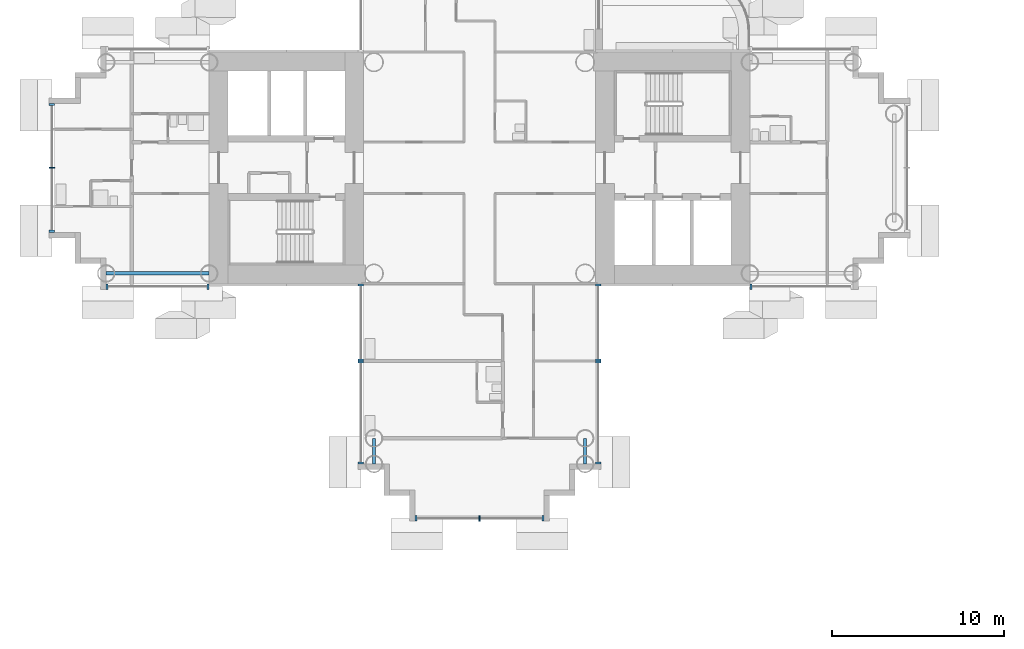
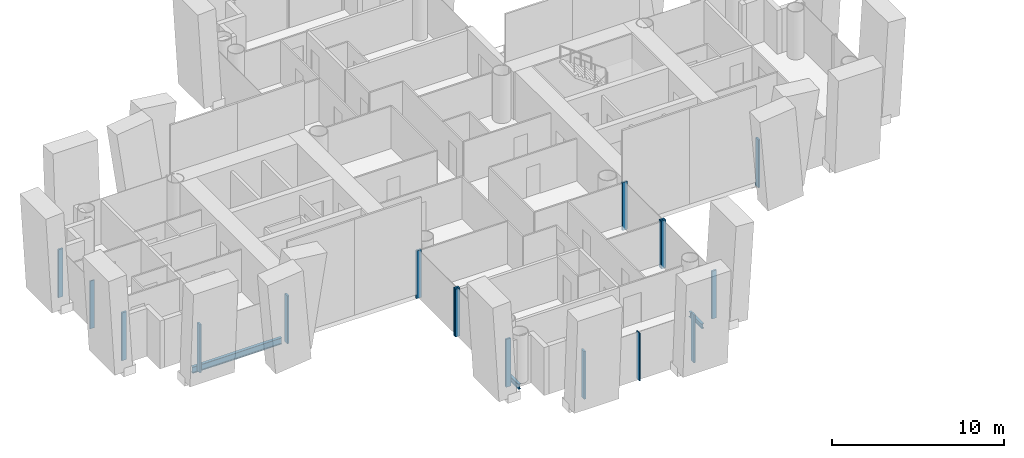
# One storey, part 3 of 23: 17 members, 3 beams, 8 elements without a shape of their own.
"""IFC4 building model written with IfcOpenShell, lengths in metres."""

from ifc_helpers import new_model, si_unit, direction, frame, origin, origin_2d, place, context, subcontext, project, spatial, rectangle, i_section, extrude, material, layer, layer_set, material_profile, profile_set, type_object, element, aggregate, save


model = new_model("IFC4")

# Units and contexts
model_context = context("Model", 3, precision=1e-05, world=origin(), true_north=direction((0.0, 1.0)))
body_context = subcontext(model_context, "Body", "Model", "MODEL_VIEW")
ifc_project = project(units=[si_unit("LENGTHUNIT", "METRE"), si_unit("AREAUNIT", "SQUARE_METRE"), si_unit("VOLUMEUNIT", "CUBIC_METRE"), si_unit("PLANEANGLEUNIT", "RADIAN"), si_unit("MASSUNIT", "GRAM", prefix="KILO")], contexts=[model_context])

# Site, building, storey
site_placement = place(None, origin())
site = spatial("IfcSite", under=ifc_project, at=site_placement, CompositionType="ELEMENT")
building_placement = place(site_placement, origin())
building = spatial("IfcBuilding", under=site, at=building_placement, Name="Ipe Terrace Towers", CompositionType="ELEMENT")
storey_placement = place(building_placement, frame((0.0, 0.0, 51.699951171875)))
storey = spatial("IfcBuildingStorey", under=building, at=storey_placement, Name="L13", CompositionType="ELEMENT", Elevation=51.699951171875)

# Beams
ifc_material_1 = material(Name="Steel S355", Category="steel")
ifc_material_profile_1 = material_profile(ifc_material_1, i_section(OverallWidth=0.175048828125, OverallDepth=0.35009765625, WebThickness=0.007080078125, FlangeThickness=0.010986328125, at=origin_2d()), Name="H-350x175x7x11")
ifc_profile_set_1 = profile_set([ifc_material_profile_1], Name="Steel S355")
beam_type_1 = type_object("IfcBeamType", Name="H04 EDGE BEAM H-350x175x7x11", PredefinedType="BEAM", material=ifc_profile_set_1)
for number, where, z_axis, x_axis, name in (
    (1, (-42.14990234375, -15.75, -0.574951171875), (0.0, -1.0, 0.0), (1.0, 0.0, 0.0), "Edge beam T1-EB-D03-D05"),
    (2, (-29.85009765625, -15.75, -0.574951171875), (0.0, -1.0, 0.0), (1.0, 0.0, 0.0), "Edge beam T1-EB-D04-D06"),
):
    element("IfcBeam", number, at=place(storey_placement, frame(where, z_axis=z_axis, x_axis=x_axis)), inside=storey, type_object=beam_type_1, Name=name, PredefinedType="BEAM", context=body_context, shape_type="SweptSolid", body=[
        extrude(i_section(OverallWidth=0.175048828125, OverallDepth=0.35009765625, WebThickness=0.007080078125, FlangeThickness=0.010986328125, at=origin_2d()), origin(), (0.0, 0.0, 1.0), 1.5),
    ])
ifc_material_2 = material(Name="Steel S355", Category="steel")
ifc_material_profile_2 = material_profile(ifc_material_2, i_section(OverallWidth=0.199951171875, OverallDepth=0.449951171875, WebThickness=0.009033203125, FlangeThickness=0.013916015625, at=origin_2d()), Name="H-450x200x9x14")
ifc_profile_set_2 = profile_set([ifc_material_profile_2], Name="Steel S355")
beam_type_2 = type_object("IfcBeamType", Name="H08 EDGE BEAM H-450x200x9x14", PredefinedType="BEAM", material=ifc_profile_set_2)
beam_placement = place(storey_placement, frame((-51.75, -6.14990234375, -0.625), z_axis=(-1.0, 0.0, 0.0), x_axis=(0.0, -1.0, 0.0)))
element("IfcBeam", 3, at=beam_placement, inside=storey, type_object=beam_type_2, Name="Edge beam T1-EB-C01-C03", PredefinedType="BEAM", context=body_context, shape_type="SweptSolid", body=[
    extrude(i_section(OverallWidth=0.199951171875, OverallDepth=0.449951171875, WebThickness=0.009033203125, FlangeThickness=0.013916015625, at=origin_2d()), origin(), (0.0, 0.0, 1.0), 6.0),
])

# Curtain wall, members
ifc_material_3 = material(Name="Aluminium alloy 6063-T6", Category="aluminium")
ifc_layer = layer(ifc_material_3, 0.320068359375)
ifc_layer_set = layer_set([ifc_layer], Name="TOWER UNITISED CURTAIN WALL")
curtain_wall_type = type_object("IfcCurtainWallType", Name="TOWER UNITISED CURTAIN WALL", PredefinedType="NOTDEFINED", material=ifc_layer_set)
curtain_wall_1_placement = place(storey_placement, origin())
curtain_wall_1 = element("IfcCurtainWall", 4, at=curtain_wall_1_placement, inside=storey, type_object=curtain_wall_type, Name="T1-CW-L13-04a curtain wall", PredefinedType="NOTDEFINED")
ifc_material_4 = material(Name="Aluminium alloy 6063-T6", Category="aluminium")
ifc_material_profile_3 = material_profile(ifc_material_4, rectangle(XDim=0.320068359375, YDim=0.1201171875, at=origin_2d()), Name="TOWER UNITISED CORNER MULLION 320 x 120")
ifc_profile_set_3 = profile_set([ifc_material_profile_3], Name="Aluminium alloy 6063-T6")
member_type_1 = type_object("IfcMemberType", Name="TOWER UNITISED CORNER MULLION 320 x 120", PredefinedType="MULLION", material=ifc_profile_set_3)
member_1_placement = place(storey_placement, frame((-57.68994140625, -6.909912109375, -0.300048828125), z_axis=(0.0, 0.0, 1.0), x_axis=(0.0, -1.0, 0.0)))
member_1 = element("IfcMember", 5, at=member_1_placement, type_object=member_type_1, Name="T1-CW-L13-04a mullion 1", PredefinedType="MULLION", context=body_context, shape_type="SweptSolid", body=[
    extrude(rectangle(XDim=0.320068359375, YDim=0.1201171875, at=origin_2d()), origin(), (0.0, 0.0, 1.0), 3.400146484375),
])
member_2_placement = place(storey_placement, frame((-51.81103515625, -6.909912109375, -0.300048828125), z_axis=(0.0, 0.0, 1.0), x_axis=(0.0, -1.0, 0.0)))
member_2 = element("IfcMember", 6, at=member_2_placement, type_object=member_type_1, Name="T1-CW-L13-04a mullion 2", PredefinedType="MULLION", context=body_context, shape_type="SweptSolid", body=[
    extrude(rectangle(XDim=0.320068359375, YDim=0.1201171875, at=origin_2d()), origin(), (0.0, 0.0, 1.0), 3.400146484375),
])
aggregate(curtain_wall_1, [member_1, member_2])

curtain_wall_2_placement = place(storey_placement, origin())
curtain_wall_2 = element("IfcCurtainWall", 7, at=curtain_wall_2_placement, inside=storey, type_object=curtain_wall_type, Name="T1-CW-L13-06a curtain wall", PredefinedType="NOTDEFINED")
member_3_placement = place(storey_placement, frame((-42.909912109375, -6.81005859375, -0.300048828125), z_axis=(0.0, 0.0, 1.0), x_axis=(-1.0, 0.0, 0.0)))
member_3 = element("IfcMember", 8, at=member_3_placement, type_object=member_type_1, Name="T1-CW-L13-06a mullion 1", PredefinedType="MULLION", context=body_context, shape_type="SweptSolid", body=[
    extrude(rectangle(XDim=0.320068359375, YDim=0.1201171875, at=origin_2d()), origin(), (0.0, 0.0, 1.0), 3.400146484375),
])
member_4_placement = place(storey_placement, frame((-42.909912109375, -11.18994140625, -0.300048828125), z_axis=(0.0, 0.0, 1.0), x_axis=(-1.0, 0.0, 0.0)))
member_4 = element("IfcMember", 9, at=member_4_placement, type_object=member_type_1, Name="T1-CW-L13-06a mullion 2", PredefinedType="MULLION", context=body_context, shape_type="SweptSolid", body=[
    extrude(rectangle(XDim=0.320068359375, YDim=0.1201171875, at=origin_2d()), origin(), (0.0, 0.0, 1.0), 3.400146484375),
])
aggregate(curtain_wall_2, [member_3, member_4])

curtain_wall_3_placement = place(storey_placement, origin())
curtain_wall_3 = element("IfcCurtainWall", 10, at=curtain_wall_3_placement, inside=storey, type_object=curtain_wall_type, Name="T1-CW-L13-07a curtain wall", PredefinedType="NOTDEFINED")
member_5_placement = place(storey_placement, frame((-42.909912109375, -11.31005859375, -0.300048828125), z_axis=(0.0, 0.0, 1.0), x_axis=(-1.0, 0.0, 0.0)))
member_5 = element("IfcMember", 11, at=member_5_placement, type_object=member_type_1, Name="T1-CW-L13-07a mullion 1", PredefinedType="MULLION", context=body_context, shape_type="SweptSolid", body=[
    extrude(rectangle(XDim=0.320068359375, YDim=0.1201171875, at=origin_2d()), origin(), (0.0, 0.0, 1.0), 3.400146484375),
])
member_6_placement = place(storey_placement, frame((-42.909912109375, -17.18994140625, -0.300048828125), z_axis=(0.0, 0.0, 1.0), x_axis=(-1.0, 0.0, 0.0)))
member_6 = element("IfcMember", 12, at=member_6_placement, type_object=member_type_1, Name="T1-CW-L13-07a mullion 2", PredefinedType="MULLION", context=body_context, shape_type="SweptSolid", body=[
    extrude(rectangle(XDim=0.320068359375, YDim=0.1201171875, at=origin_2d()), origin(), (0.0, 0.0, 1.0), 3.400146484375),
])
aggregate(curtain_wall_3, [member_5, member_6])

curtain_wall_4_placement = place(storey_placement, origin())
curtain_wall_4 = element("IfcCurtainWall", 13, at=curtain_wall_4_placement, inside=storey, type_object=curtain_wall_type, Name="T1-CW-L13-12a curtain wall", PredefinedType="NOTDEFINED")
member_7_placement = place(storey_placement, frame((-39.68994140625, -20.409912109375, -0.300048828125), z_axis=(0.0, 0.0, 1.0), x_axis=(0.0, -1.0, 0.0)))
member_7 = element("IfcMember", 14, at=member_7_placement, type_object=member_type_1, Name="T1-CW-L13-12a mullion 1", PredefinedType="MULLION", context=body_context, shape_type="SweptSolid", body=[
    extrude(rectangle(XDim=0.320068359375, YDim=0.1201171875, at=origin_2d()), origin(), (0.0, 0.0, 1.0), 3.400146484375),
])
member_8_placement = place(storey_placement, frame((-32.31005859375, -20.409912109375, -0.300048828125), z_axis=(0.0, 0.0, 1.0), x_axis=(0.0, -1.0, 0.0)))
member_8 = element("IfcMember", 15, at=member_8_placement, type_object=member_type_1, Name="T1-CW-L13-12a mullion 3", PredefinedType="MULLION", context=body_context, shape_type="SweptSolid", body=[
    extrude(rectangle(XDim=0.320068359375, YDim=0.1201171875, at=origin_2d()), origin(), (0.0, 0.0, 1.0), 3.400146484375),
])

curtain_wall_5_placement = place(storey_placement, origin())
curtain_wall_5 = element("IfcCurtainWall", 16, at=curtain_wall_5_placement, inside=storey, type_object=curtain_wall_type, Name="T1-CW-L13-17a curtain wall", PredefinedType="NOTDEFINED")
member_9_placement = place(storey_placement, frame((-29.090087890625, -17.18994140625, -0.300048828125), z_axis=(0.0, 0.0, 1.0), x_axis=(1.0, 0.0, 0.0)))
member_9 = element("IfcMember", 17, at=member_9_placement, type_object=member_type_1, Name="T1-CW-L13-17a mullion 1", PredefinedType="MULLION", context=body_context, shape_type="SweptSolid", body=[
    extrude(rectangle(XDim=0.320068359375, YDim=0.1201171875, at=origin_2d()), origin(), (0.0, 0.0, 1.0), 3.400146484375),
])
member_10_placement = place(storey_placement, frame((-29.090087890625, -11.31005859375, -0.300048828125), z_axis=(0.0, 0.0, 1.0), x_axis=(1.0, 0.0, 0.0)))
member_10 = element("IfcMember", 18, at=member_10_placement, type_object=member_type_1, Name="T1-CW-L13-17a mullion 2", PredefinedType="MULLION", context=body_context, shape_type="SweptSolid", body=[
    extrude(rectangle(XDim=0.320068359375, YDim=0.1201171875, at=origin_2d()), origin(), (0.0, 0.0, 1.0), 3.400146484375),
])
aggregate(curtain_wall_5, [member_9, member_10])

curtain_wall_6_placement = place(storey_placement, origin())
curtain_wall_6 = element("IfcCurtainWall", 19, at=curtain_wall_6_placement, inside=storey, type_object=curtain_wall_type, Name="T1-CW-L13-18a curtain wall", PredefinedType="NOTDEFINED")
member_11_placement = place(storey_placement, frame((-29.090087890625, -11.18994140625, -0.300048828125), z_axis=(0.0, 0.0, 1.0), x_axis=(1.0, 0.0, 0.0)))
member_11 = element("IfcMember", 20, at=member_11_placement, type_object=member_type_1, Name="T1-CW-L13-18a mullion 1", PredefinedType="MULLION", context=body_context, shape_type="SweptSolid", body=[
    extrude(rectangle(XDim=0.320068359375, YDim=0.1201171875, at=origin_2d()), origin(), (0.0, 0.0, 1.0), 3.400146484375),
])
member_12_placement = place(storey_placement, frame((-29.090087890625, -6.81005859375, -0.300048828125), z_axis=(0.0, 0.0, 1.0), x_axis=(1.0, 0.0, 0.0)))
member_12 = element("IfcMember", 21, at=member_12_placement, type_object=member_type_1, Name="T1-CW-L13-18a mullion 2", PredefinedType="MULLION", context=body_context, shape_type="SweptSolid", body=[
    extrude(rectangle(XDim=0.320068359375, YDim=0.1201171875, at=origin_2d()), origin(), (0.0, 0.0, 1.0), 3.400146484375),
])
aggregate(curtain_wall_6, [member_11, member_12])

# Curtain wall, member
curtain_wall_7_placement = place(storey_placement, origin())
curtain_wall_7 = element("IfcCurtainWall", 22, at=curtain_wall_7_placement, inside=storey, type_object=curtain_wall_type, Name="T1-CW-L13-20b curtain wall", PredefinedType="NOTDEFINED")
member_13_placement = place(storey_placement, frame((-20.18896484375, -6.909912109375, -0.300048828125), z_axis=(0.0, 0.0, 1.0), x_axis=(0.0, -1.0, 0.0)))
member_13 = element("IfcMember", 23, at=member_13_placement, type_object=member_type_1, Name="T1-CW-L13-20b mullion 1", PredefinedType="MULLION", context=body_context, shape_type="SweptSolid", body=[
    extrude(rectangle(XDim=0.320068359375, YDim=0.1201171875, at=origin_2d()), origin(), (0.0, 0.0, 1.0), 3.400146484375),
])
aggregate(curtain_wall_7, [member_13])

# Curtain wall, members
curtain_wall_8_placement = place(storey_placement, origin())
curtain_wall_8 = element("IfcCurtainWall", 24, at=curtain_wall_8_placement, inside=storey, type_object=curtain_wall_type, Name="T1-CW-L13-51a curtain wall", PredefinedType="NOTDEFINED")
member_14_placement = place(storey_placement, frame((-60.909912109375, 3.68994140625, -0.300048828125), z_axis=(0.0, 0.0, 1.0), x_axis=(-1.0, 0.0, 0.0)))
member_14 = element("IfcMember", 25, at=member_14_placement, type_object=member_type_1, Name="T1-CW-L13-51a mullion 1", PredefinedType="MULLION", context=body_context, shape_type="SweptSolid", body=[
    extrude(rectangle(XDim=0.320068359375, YDim=0.1201171875, at=origin_2d()), origin(), (0.0, 0.0, 1.0), 3.400146484375),
])
member_15_placement = place(storey_placement, frame((-60.909912109375, -3.68994140625, -0.300048828125), z_axis=(0.0, 0.0, 1.0), x_axis=(-1.0, 0.0, 0.0)))
member_15 = element("IfcMember", 26, at=member_15_placement, type_object=member_type_1, Name="T1-CW-L13-51a mullion 3", PredefinedType="MULLION", context=body_context, shape_type="SweptSolid", body=[
    extrude(rectangle(XDim=0.320068359375, YDim=0.1201171875, at=origin_2d()), origin(), (0.0, 0.0, 1.0), 3.400146484375),
])

# Member
ifc_material_5 = material(Name="Aluminium alloy 6063-T6", Category="aluminium")
ifc_material_profile_4 = material_profile(ifc_material_5, rectangle(XDim=0.320068359375, YDim=0.06494140625, at=origin_2d()), Name="TOWER UNITISED MULLION 320 x 65")
ifc_profile_set_4 = profile_set([ifc_material_profile_4], Name="Aluminium alloy 6063-T6")
member_type_2 = type_object("IfcMemberType", Name="TOWER UNITISED MULLION 320 x 65", PredefinedType="MULLION", material=ifc_profile_set_4)
member_16_placement = place(storey_placement, frame((-36.0, -20.409912109375, -0.300048828125), z_axis=(0.0, 0.0, 1.0), x_axis=(0.0, -1.0, 0.0)))
member_16 = element("IfcMember", 27, at=member_16_placement, type_object=member_type_2, Name="T1-CW-L13-12a mullion 2", PredefinedType="MULLION", context=body_context, shape_type="SweptSolid", body=[
    extrude(rectangle(XDim=0.320068359375, YDim=0.06494140625, at=origin_2d()), origin(), (0.0, 0.0, 1.0), 3.400146484375),
])

aggregate(curtain_wall_4, [member_7, member_16, member_8])

member_17_placement = place(storey_placement, frame((-60.909912109375, 0.0, -0.300048828125), z_axis=(0.0, 0.0, 1.0), x_axis=(-1.0, 0.0, 0.0)))
member_17 = element("IfcMember", 28, at=member_17_placement, type_object=member_type_2, Name="T1-CW-L13-51a mullion 2", PredefinedType="MULLION", context=body_context, shape_type="SweptSolid", body=[
    extrude(rectangle(XDim=0.320068359375, YDim=0.06494140625, at=origin_2d()), origin(), (0.0, 0.0, 1.0), 3.400146484375),
])

aggregate(curtain_wall_8, [member_14, member_17, member_15])

save(model, "model.ifc")
